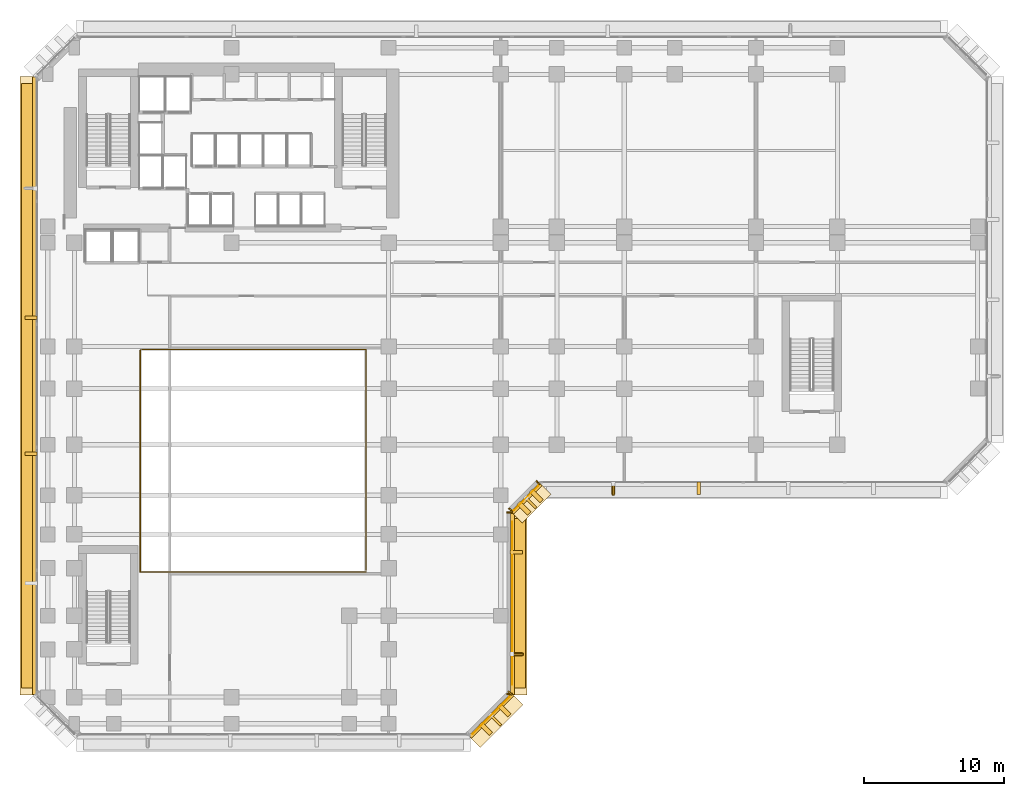
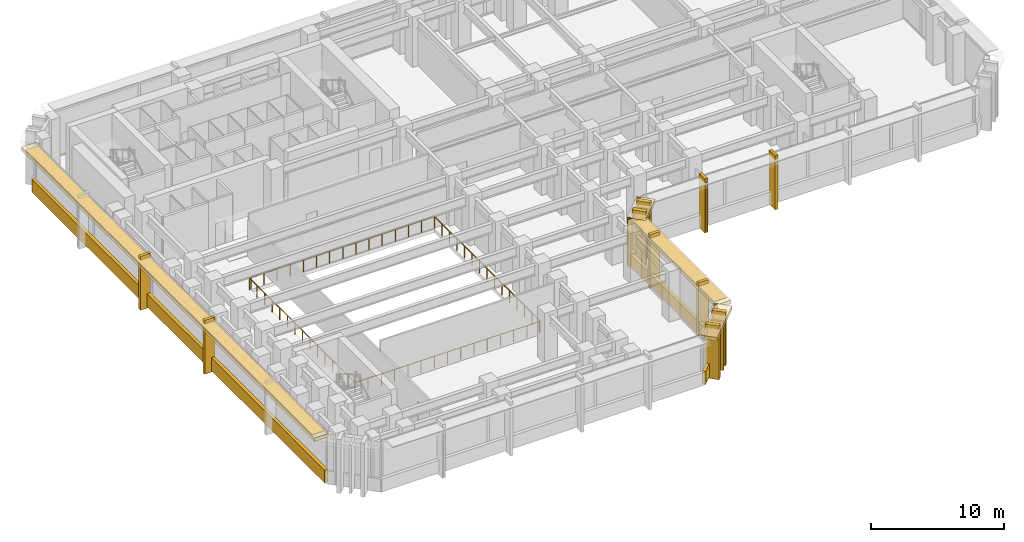
# One storey, part 11 of 16: 26 coverings, 6 shading devices, 2 railings.
"""IFC4 building model written with IfcOpenShell, lengths in metres."""

from ifc_helpers import new_model, si_unit, direction, frame, origin, origin_2d, place, context, subcontext, project, spatial, rectangle, circle, extrude, material, layer, layer_set, material_profile, profile_set, type_object, element, save


model = new_model("IFC4")

# Units and contexts
model_context = context("Model", 3, precision=1e-05, world=origin(), true_north=direction((0.0, 1.0)))
body_context = subcontext(model_context, "Body", "Model", "MODEL_VIEW")
ifc_project = project(units=[si_unit("LENGTHUNIT", "METRE"), si_unit("AREAUNIT", "SQUARE_METRE"), si_unit("VOLUMEUNIT", "CUBIC_METRE"), si_unit("PLANEANGLEUNIT", "RADIAN"), si_unit("MASSUNIT", "GRAM", prefix="KILO")], contexts=[model_context])

# Site, building, storey
site_placement = place(None, origin())
site = spatial("IfcSite", under=ifc_project, at=site_placement, CompositionType="ELEMENT")
building_placement = place(site_placement, origin())
building = spatial("IfcBuilding", under=site, at=building_placement, Name="Kefirva Bronze Tower", CompositionType="ELEMENT")
storey_placement = place(building_placement, frame((0.0, 0.0, 16.5)))
storey = spatial("IfcBuildingStorey", under=building, at=storey_placement, Name="L03", CompositionType="ELEMENT", Elevation=16.5)

# Coverings
ifc_material_1 = material(Name="Bronze anodised aluminium", Category="aluminium")
ifc_layer_1 = layer(ifc_material_1, 0.02001953125, Name="Bronze anodised aluminium")
ifc_layer_set_1 = layer_set([ifc_layer_1], Name="Bronze anodised aluminium")
covering_type_1 = type_object("IfcCoveringType", Name="Anodised Bronze Spandrel Cladding 20mm", PredefinedType="CLADDING", material=ifc_layer_set_1)
covering_1_placement = place(storey_placement, frame((30.507080078125, -0.507080078125, 3.880126953125), z_axis=(0.0, 0.0, 1.0), x_axis=(0.707106781187, 0.707106781187, 0.0)))
element("IfcCovering", 1, at=covering_1_placement, inside=storey, type_object=covering_type_1, Name="L03 Bronze Spandrel Cladding 1", PredefinedType="CLADDING", context=body_context, shape_type="SweptSolid", body=[
    extrude(rectangle(XDim=3.719482421875, YDim=0.02001953125, at=origin_2d()), origin(), (0.0, 0.0, 1.0), 0.39990234375),
])
covering_2_placement = place(storey_placement, frame((31.847900390625, 1.1025390625, 0.0), z_axis=(0.0, 0.0, 1.0), x_axis=(0.707106781187, 0.707106781187, 0.0)))
element("IfcCovering", 2, at=covering_2_placement, inside=storey, type_object=covering_type_1, Name="L03 Facade Joint Closure Panel 1E", PredefinedType="CLADDING", context=body_context, shape_type="SweptSolid", body=[
    extrude(rectangle(XDim=0.10009765625, YDim=0.360107421875, at=origin_2d()), origin(), (0.0, 0.0, 1.0), 4.300048828125),
])
covering_3_placement = place(storey_placement, frame((30.5283203125, -0.5283203125, -0.16015625), z_axis=(0.0, 0.0, 1.0), x_axis=(0.707106781187, 0.707106781187, 0.0)))
element("IfcCovering", 3, at=covering_3_placement, inside=storey, type_object=covering_type_1, Name="L03 Streamline Horizontal Spandrel Band 1", PredefinedType="CLADDING", context=body_context, shape_type="SweptSolid", body=[
    extrude(rectangle(XDim=4.28271484375, YDim=0.280029296875, at=origin_2d()), origin(), (0.0, 0.0, 1.0), 1.179931640625),
])
covering_4_placement = place(storey_placement, frame((32.010009765625, 7.5, 3.880126953125), z_axis=(0.0, 0.0, 1.0), x_axis=(0.0, 1.0, 0.0)))
element("IfcCovering", 4, at=covering_4_placement, inside=storey, type_object=covering_type_1, Name="L03 Bronze Spandrel Cladding 2", PredefinedType="CLADDING", context=body_context, shape_type="SweptSolid", body=[
    extrude(rectangle(XDim=11.60107421875, YDim=0.02001953125, at=origin_2d()), origin(), (0.0, 0.0, 1.0), 0.39990234375),
])
for number, where, z_axis, x_axis, name in (
    (5, (31.820068359375, 1.034912109375, 0.0), (0.0, 0.0, 1.0), (0.0, 1.0, 0.0), "L03 Facade Joint Closure Panel 2S"),
    (6, (31.820068359375, 13.965087890625, 0.0), (0.0, 0.0, 1.0), (0.0, 1.0, 0.0), "L03 Facade Joint Closure Panel 2E"),
):
    element("IfcCovering", number, at=place(storey_placement, frame(where, z_axis=z_axis, x_axis=x_axis)), inside=storey, type_object=covering_type_1, Name=name, PredefinedType="CLADDING", context=body_context, shape_type="SweptSolid", body=[
        extrude(rectangle(XDim=0.10009765625, YDim=0.360107421875, at=origin_2d()), origin(), (0.0, 0.0, 1.0), 4.300048828125),
    ])
covering_5_placement = place(storey_placement, frame((32.0400390625, 7.5, -0.16015625), z_axis=(0.0, 0.0, 1.0), x_axis=(0.0, 1.0, 0.0)))
element("IfcCovering", 7, at=covering_5_placement, inside=storey, type_object=covering_type_1, Name="L03 Streamline Horizontal Spandrel Band 2", PredefinedType="CLADDING", context=body_context, shape_type="SweptSolid", body=[
    extrude(rectangle(XDim=13.0400390625, YDim=0.280029296875, at=origin_2d()), origin(), (0.0, 0.0, 1.0), 1.179931640625),
])
covering_6_placement = place(storey_placement, frame((33.007080078125, 14.992919921875, 3.880126953125), z_axis=(0.0, 0.0, 1.0), x_axis=(0.707106781187, 0.707106781187, 0.0)))
element("IfcCovering", 8, at=covering_6_placement, inside=storey, type_object=covering_type_1, Name="L03 Bronze Spandrel Cladding 3", PredefinedType="CLADDING", context=body_context, shape_type="SweptSolid", body=[
    extrude(rectangle(XDim=2.446533203125, YDim=0.02001953125, at=origin_2d()), origin(), (0.0, 0.0, 1.0), 0.39990234375),
])
for number, where, z_axis, x_axis, name in (
    (9, (31.8974609375, 14.152099609375, 0.0), (0.0, 0.0, 1.0), (0.707106781187, 0.707106781187, 0.0), "L03 Facade Joint Closure Panel 3S"),
    (10, (33.847900390625, 16.1025390625, 0.0), (0.0, 0.0, 1.0), (0.707106781187, 0.707106781187, 0.0), "L03 Facade Joint Closure Panel 3E"),
):
    element("IfcCovering", number, at=place(storey_placement, frame(where, z_axis=z_axis, x_axis=x_axis)), inside=storey, type_object=covering_type_1, Name=name, PredefinedType="CLADDING", context=body_context, shape_type="SweptSolid", body=[
        extrude(rectangle(XDim=0.10009765625, YDim=0.360107421875, at=origin_2d()), origin(), (0.0, 0.0, 1.0), 4.300048828125),
    ])
covering_7_placement = place(storey_placement, frame((33.0283203125, 14.9716796875, -0.16015625), z_axis=(0.0, 0.0, 1.0), x_axis=(0.707106781187, 0.707106781187, 0.0)))
element("IfcCovering", 11, at=covering_7_placement, inside=storey, type_object=covering_type_1, Name="L03 Streamline Horizontal Spandrel Band 3", PredefinedType="CLADDING", context=body_context, shape_type="SweptSolid", body=[
    extrude(rectangle(XDim=2.868408203125, YDim=0.280029296875, at=origin_2d()), origin(), (0.0, 0.0, 1.0), 1.179931640625),
])
covering_8_placement = place(storey_placement, frame((-2.0400390625, 23.0, -0.16015625), z_axis=(0.0, 0.0, 1.0), x_axis=(0.0, -1.0, 0.0)))
element("IfcCovering", 12, at=covering_8_placement, inside=storey, type_object=covering_type_1, Name="L03 Streamline Horizontal Spandrel Band 10", PredefinedType="CLADDING", context=body_context, shape_type="SweptSolid", body=[
    extrude(rectangle(XDim=44.0400390625, YDim=0.280029296875, at=origin_2d()), origin(), (0.0, 0.0, 1.0), 1.179931640625),
])

# Shading devices
ifc_material_profile_1 = material_profile(ifc_material_1, rectangle(XDim=0.179931640625, YDim=1.080078125, at=origin_2d()), Name="BRONZE BUTTRESS FIN 180x1080")
ifc_profile_set_1 = profile_set([ifc_material_profile_1], Name="Bronze anodised aluminium")
shading_device_type_1 = type_object("IfcShadingDeviceType", Name="Chamfered Corner Buttress Bronze Fin 1080mm", PredefinedType="USERDEFINED", material=ifc_profile_set_1)
for number, where, z_axis, x_axis, name in (
    (13, (30.8251953125, -0.8251953125, -0.139892578125), (0.0, 0.0, 1.0), (0.707106781187, 0.707106781187, 0.0), "L03 Chamfered Corner Buttress Fin 6"),
    (14, (33.3251953125, 14.6748046875, -0.139892578125), (0.0, 0.0, 1.0), (0.707106781187, 0.707106781187, 0.0), "L03 Chamfered Corner Buttress Fin 10"),
):
    element("IfcShadingDevice", number, at=place(storey_placement, frame(where, z_axis=z_axis, x_axis=x_axis)), inside=storey, type_object=shading_device_type_1, Name=name, ObjectType="VERTICAL FIN", PredefinedType="USERDEFINED", context=body_context, shape_type="SweptSolid", body=[
        extrude(rectangle(XDim=0.179931640625, YDim=1.080078125, at=origin_2d()), origin(), (0.0, 0.0, 1.0), 4.43994140625),
    ])

# Railings
ifc_material_2 = material(Name="Stainless steel 316", Category="steel")
railing_type = type_object("IfcRailingType", Name="Interior Stair Guardrail 1100mm", PredefinedType="GUARDRAIL", material=ifc_material_2)
railing_1_placement = place(storey_placement, frame((5.5, 25.550048828125, 0.0)))
element("IfcRailing", 15, at=railing_1_placement, inside=storey, type_object=railing_type, Name="L03 Auditorium Gallery Void Guardrail South-West", PredefinedType="GUARDRAIL", context=body_context, shape_type="SweptSolid", body=[
    extrude(circle(Radius=0.02392578125, at=origin_2d()), frame((0.0, 0.0, 1.076171875), z_axis=(0.0, -1.0, 0.0), x_axis=(1.0, 0.0, 0.0)), (0.0, 0.0, 1.0), 15.830078125),
    extrude(circle(Radius=0.02392578125, at=origin_2d()), frame((0.0, -15.830078125, 1.076171875), z_axis=(1.0, 0.0, 0.0), x_axis=(0.0, 1.0, 0.0)), (0.0, 0.0, 1.0), 16.080078125),
    extrude(circle(Radius=0.02099609375, at=origin_2d()), origin(), (0.0, 0.0, 1.0), 1.052001953125),
    extrude(circle(Radius=0.02099609375, at=origin_2d()), frame((0.0, -1.130615234375, 0.0)), (0.0, 0.0, 1.0), 1.052001953125),
    extrude(circle(Radius=0.02099609375, at=origin_2d()), frame((0.0, -2.261474609375, 0.0)), (0.0, 0.0, 1.0), 1.052001953125),
    extrude(circle(Radius=0.02099609375, at=origin_2d()), frame((0.0, -3.39208984375, 0.0)), (0.0, 0.0, 1.0), 1.052001953125),
    extrude(circle(Radius=0.02099609375, at=origin_2d()), frame((0.0, -4.52294921875, 0.0)), (0.0, 0.0, 1.0), 1.052001953125),
    extrude(circle(Radius=0.02099609375, at=origin_2d()), frame((0.0, -5.653564453125, 0.0)), (0.0, 0.0, 1.0), 1.052001953125),
    extrude(circle(Radius=0.02099609375, at=origin_2d()), frame((0.0, -6.784423828125, 0.0)), (0.0, 0.0, 1.0), 1.052001953125),
    extrude(circle(Radius=0.02099609375, at=origin_2d()), frame((0.0, -7.9150390625, 0.0)), (0.0, 0.0, 1.0), 1.052001953125),
    extrude(circle(Radius=0.02099609375, at=origin_2d()), frame((0.0, -9.045654296875, 0.0)), (0.0, 0.0, 1.0), 1.052001953125),
    extrude(circle(Radius=0.02099609375, at=origin_2d()), frame((0.0, -10.176513671875, 0.0)), (0.0, 0.0, 1.0), 1.052001953125),
    extrude(circle(Radius=0.02099609375, at=origin_2d()), frame((0.0, -11.30712890625, 0.0)), (0.0, 0.0, 1.0), 1.052001953125),
    extrude(circle(Radius=0.02099609375, at=origin_2d()), frame((0.0, -12.43798828125, 0.0)), (0.0, 0.0, 1.0), 1.052001953125),
    extrude(circle(Radius=0.02099609375, at=origin_2d()), frame((0.0, -13.568603515625, 0.0)), (0.0, 0.0, 1.0), 1.052001953125),
    extrude(circle(Radius=0.02099609375, at=origin_2d()), frame((0.0, -14.699462890625, 0.0)), (0.0, 0.0, 1.0), 1.052001953125),
    extrude(circle(Radius=0.02099609375, at=origin_2d()), frame((0.0, -15.830078125, 0.0)), (0.0, 0.0, 1.0), 1.052001953125),
    extrude(circle(Radius=0.02099609375, at=origin_2d()), frame((1.148681640625, -15.830078125, 0.0)), (0.0, 0.0, 1.0), 1.052001953125),
    extrude(circle(Radius=0.02099609375, at=origin_2d()), frame((2.297119140625, -15.830078125, 0.0)), (0.0, 0.0, 1.0), 1.052001953125),
    extrude(circle(Radius=0.02099609375, at=origin_2d()), frame((3.44580078125, -15.830078125, 0.0)), (0.0, 0.0, 1.0), 1.052001953125),
    extrude(circle(Radius=0.02099609375, at=origin_2d()), frame((4.59423828125, -15.830078125, 0.0)), (0.0, 0.0, 1.0), 1.052001953125),
    extrude(circle(Radius=0.02099609375, at=origin_2d()), frame((5.742919921875, -15.830078125, 0.0)), (0.0, 0.0, 1.0), 1.052001953125),
    extrude(circle(Radius=0.02099609375, at=origin_2d()), frame((6.891357421875, -15.830078125, 0.0)), (0.0, 0.0, 1.0), 1.052001953125),
    extrude(circle(Radius=0.02099609375, at=origin_2d()), frame((8.0400390625, -15.830078125, 0.0)), (0.0, 0.0, 1.0), 1.052001953125),
    extrude(circle(Radius=0.02099609375, at=origin_2d()), frame((9.188720703125, -15.830078125, 0.0)), (0.0, 0.0, 1.0), 1.052001953125),
    extrude(circle(Radius=0.02099609375, at=origin_2d()), frame((10.337158203125, -15.830078125, 0.0)), (0.0, 0.0, 1.0), 1.052001953125),
    extrude(circle(Radius=0.02099609375, at=origin_2d()), frame((11.48583984375, -15.830078125, 0.0)), (0.0, 0.0, 1.0), 1.052001953125),
    extrude(circle(Radius=0.02099609375, at=origin_2d()), frame((12.63427734375, -15.830078125, 0.0)), (0.0, 0.0, 1.0), 1.052001953125),
    extrude(circle(Radius=0.02099609375, at=origin_2d()), frame((13.782958984375, -15.830078125, 0.0)), (0.0, 0.0, 1.0), 1.052001953125),
    extrude(circle(Radius=0.02099609375, at=origin_2d()), frame((14.931396484375, -15.830078125, 0.0)), (0.0, 0.0, 1.0), 1.052001953125),
    extrude(circle(Radius=0.02099609375, at=origin_2d()), frame((16.080078125, -15.830078125, 0.0)), (0.0, 0.0, 1.0), 1.052001953125),
])
railing_2_placement = place(storey_placement, frame((21.580078125, 9.85009765625, 0.0)))
element("IfcRailing", 16, at=railing_2_placement, inside=storey, type_object=railing_type, Name="L03 Auditorium Gallery Void Guardrail North-East", PredefinedType="GUARDRAIL", context=body_context, shape_type="SweptSolid", body=[
    extrude(circle(Radius=0.02392578125, at=origin_2d()), frame((0.0, 0.0, 1.076171875), z_axis=(0.0, 1.0, 0.0), x_axis=(-1.0, 0.0, 0.0)), (0.0, 0.0, 1.0), 15.72998046875),
    extrude(circle(Radius=0.02392578125, at=origin_2d()), frame((0.0, 15.72998046875, 1.076171875), z_axis=(-1.0, 0.0, 0.0), x_axis=(0.0, -1.0, 0.0)), (0.0, 0.0, 1.0), 15.9599609375),
    extrude(circle(Radius=0.02099609375, at=origin_2d()), origin(), (0.0, 0.0, 1.0), 1.052001953125),
    extrude(circle(Radius=0.02099609375, at=origin_2d()), frame((0.0, 1.12353515625, 0.0)), (0.0, 0.0, 1.0), 1.052001953125),
    extrude(circle(Radius=0.02099609375, at=origin_2d()), frame((0.0, 2.2470703125, 0.0)), (0.0, 0.0, 1.0), 1.052001953125),
    extrude(circle(Radius=0.02099609375, at=origin_2d()), frame((0.0, 3.37060546875, 0.0)), (0.0, 0.0, 1.0), 1.052001953125),
    extrude(circle(Radius=0.02099609375, at=origin_2d()), frame((0.0, 4.494384765625, 0.0)), (0.0, 0.0, 1.0), 1.052001953125),
    extrude(circle(Radius=0.02099609375, at=origin_2d()), frame((0.0, 5.617919921875, 0.0)), (0.0, 0.0, 1.0), 1.052001953125),
    extrude(circle(Radius=0.02099609375, at=origin_2d()), frame((0.0, 6.741455078125, 0.0)), (0.0, 0.0, 1.0), 1.052001953125),
    extrude(circle(Radius=0.02099609375, at=origin_2d()), frame((0.0, 7.864990234375, 0.0)), (0.0, 0.0, 1.0), 1.052001953125),
    extrude(circle(Radius=0.02099609375, at=origin_2d()), frame((0.0, 8.988525390625, 0.0)), (0.0, 0.0, 1.0), 1.052001953125),
    extrude(circle(Radius=0.02099609375, at=origin_2d()), frame((0.0, 10.112060546875, 0.0)), (0.0, 0.0, 1.0), 1.052001953125),
    extrude(circle(Radius=0.02099609375, at=origin_2d()), frame((0.0, 11.235595703125, 0.0)), (0.0, 0.0, 1.0), 1.052001953125),
    extrude(circle(Radius=0.02099609375, at=origin_2d()), frame((0.0, 12.359375, 0.0)), (0.0, 0.0, 1.0), 1.052001953125),
    extrude(circle(Radius=0.02099609375, at=origin_2d()), frame((0.0, 13.48291015625, 0.0)), (0.0, 0.0, 1.0), 1.052001953125),
    extrude(circle(Radius=0.02099609375, at=origin_2d()), frame((0.0, 14.6064453125, 0.0)), (0.0, 0.0, 1.0), 1.052001953125),
    extrude(circle(Radius=0.02099609375, at=origin_2d()), frame((0.0, 15.72998046875, 0.0)), (0.0, 0.0, 1.0), 1.052001953125),
    extrude(circle(Radius=0.02099609375, at=origin_2d()), frame((-1.139892578125, 15.72998046875, 0.0)), (0.0, 0.0, 1.0), 1.052001953125),
    extrude(circle(Radius=0.02099609375, at=origin_2d()), frame((-2.280029296875, 15.72998046875, 0.0)), (0.0, 0.0, 1.0), 1.052001953125),
    extrude(circle(Radius=0.02099609375, at=origin_2d()), frame((-3.419921875, 15.72998046875, 0.0)), (0.0, 0.0, 1.0), 1.052001953125),
    extrude(circle(Radius=0.02099609375, at=origin_2d()), frame((-4.56005859375, 15.72998046875, 0.0)), (0.0, 0.0, 1.0), 1.052001953125),
    extrude(circle(Radius=0.02099609375, at=origin_2d()), frame((-5.699951171875, 15.72998046875, 0.0)), (0.0, 0.0, 1.0), 1.052001953125),
    extrude(circle(Radius=0.02099609375, at=origin_2d()), frame((-6.840087890625, 15.72998046875, 0.0)), (0.0, 0.0, 1.0), 1.052001953125),
    extrude(circle(Radius=0.02099609375, at=origin_2d()), frame((-7.97998046875, 15.72998046875, 0.0)), (0.0, 0.0, 1.0), 1.052001953125),
    extrude(circle(Radius=0.02099609375, at=origin_2d()), frame((-9.119873046875, 15.72998046875, 0.0)), (0.0, 0.0, 1.0), 1.052001953125),
    extrude(circle(Radius=0.02099609375, at=origin_2d()), frame((-10.260009765625, 15.72998046875, 0.0)), (0.0, 0.0, 1.0), 1.052001953125),
    extrude(circle(Radius=0.02099609375, at=origin_2d()), frame((-11.39990234375, 15.72998046875, 0.0)), (0.0, 0.0, 1.0), 1.052001953125),
    extrude(circle(Radius=0.02099609375, at=origin_2d()), frame((-12.5400390625, 15.72998046875, 0.0)), (0.0, 0.0, 1.0), 1.052001953125),
    extrude(circle(Radius=0.02099609375, at=origin_2d()), frame((-13.679931640625, 15.72998046875, 0.0)), (0.0, 0.0, 1.0), 1.052001953125),
    extrude(circle(Radius=0.02099609375, at=origin_2d()), frame((-14.820068359375, 15.72998046875, 0.0)), (0.0, 0.0, 1.0), 1.052001953125),
    extrude(circle(Radius=0.02099609375, at=origin_2d()), frame((-15.9599609375, 15.72998046875, 0.0)), (0.0, 0.0, 1.0), 1.052001953125),
])

# Shading devices
ifc_layer_2 = layer(ifc_material_1, 0.1201171875, Name="Bronze anodised aluminium")
ifc_layer_set_2 = layer_set([ifc_layer_2], Name="Bronze anodised aluminium")
shading_device_type_2 = type_object("IfcShadingDeviceType", Name="Podium Deep Bronze Canopy Sunshade 1050mm", PredefinedType="JALOUSIE", material=ifc_layer_set_2)
shading_device_1_placement = place(storey_placement, frame((32.445068359375, 7.5, 4.19482421875), z_axis=(0.0, 0.0, 1.0), x_axis=(0.0, 1.0, 0.0)))
element("IfcShadingDevice", 17, at=shading_device_1_placement, inside=storey, type_object=shading_device_type_2, Name="L03 Horizontal Bronze Sunshade Band 2", PredefinedType="JALOUSIE", context=body_context, shape_type="SweptSolid", body=[
    extrude(rectangle(XDim=12.090087890625, YDim=1.050048828125, at=origin_2d()), origin(), (0.0, 0.0, 1.0), 0.090087890625),
])
shading_device_2_placement = place(storey_placement, frame((-2.445068359375, 23.0, 4.19482421875), z_axis=(0.0, 0.0, 1.0), x_axis=(0.0, -1.0, 0.0)))
element("IfcShadingDevice", 18, at=shading_device_2_placement, inside=storey, type_object=shading_device_type_2, Name="L03 Horizontal Bronze Sunshade Band 10", PredefinedType="JALOUSIE", context=body_context, shape_type="SweptSolid", body=[
    extrude(rectangle(XDim=43.090087890625, YDim=1.050048828125, at=origin_2d()), origin(), (0.0, 0.0, 1.0), 0.090087890625),
])

# Coverings
ifc_layer_3 = layer(ifc_material_1, 0.179931640625, Name="Bronze anodised aluminium")
ifc_layer_set_3 = layer_set([ifc_layer_3], Name="Bronze anodised aluminium")
covering_type_2 = type_object("IfcCoveringType", Name="Streamline Bronze Sunshade Eyebrow Cladding 180mm", PredefinedType="CLADDING", material=ifc_layer_set_3)
covering_9_placement = place(storey_placement, frame((30.8251953125, -0.8251953125, 3.97998046875), z_axis=(0.0, 0.0, 1.0), x_axis=(0.707106781187, 0.707106781187, 0.0)))
element("IfcCovering", 19, at=covering_9_placement, inside=storey, type_object=covering_type_2, Name="L03 Streamline Bronze Sunshade Eyebrow 1", PredefinedType="CLADDING", context=body_context, shape_type="SweptSolid", body=[
    extrude(rectangle(XDim=4.322509765625, YDim=1.239990234375, at=origin_2d()), origin(), (0.0, 0.0, 1.0), 0.320068359375),
])
covering_10_placement = place(storey_placement, frame((32.4599609375, 7.5, 3.97998046875), z_axis=(0.0, 0.0, 1.0), x_axis=(0.0, 1.0, 0.0)))
element("IfcCovering", 20, at=covering_10_placement, inside=storey, type_object=covering_type_2, Name="L03 Streamline Bronze Sunshade Eyebrow 2", PredefinedType="CLADDING", context=body_context, shape_type="SweptSolid", body=[
    extrude(rectangle(XDim=13.080078125, YDim=1.239990234375, at=origin_2d()), origin(), (0.0, 0.0, 1.0), 0.320068359375),
])
covering_11_placement = place(storey_placement, frame((33.3251953125, 14.6748046875, 3.97998046875), z_axis=(0.0, 0.0, 1.0), x_axis=(0.707106781187, 0.707106781187, 0.0)))
element("IfcCovering", 21, at=covering_11_placement, inside=storey, type_object=covering_type_2, Name="L03 Streamline Bronze Sunshade Eyebrow 3", PredefinedType="CLADDING", context=body_context, shape_type="SweptSolid", body=[
    extrude(rectangle(XDim=2.908447265625, YDim=1.239990234375, at=origin_2d()), origin(), (0.0, 0.0, 1.0), 0.320068359375),
])
covering_12_placement = place(storey_placement, frame((-2.4599609375, 23.0, 3.97998046875), z_axis=(0.0, 0.0, 1.0), x_axis=(0.0, -1.0, 0.0)))
element("IfcCovering", 22, at=covering_12_placement, inside=storey, type_object=covering_type_2, Name="L03 Streamline Bronze Sunshade Eyebrow 10", PredefinedType="CLADDING", context=body_context, shape_type="SweptSolid", body=[
    extrude(rectangle(XDim=44.080078125, YDim=1.239990234375, at=origin_2d()), origin(), (0.0, 0.0, 1.0), 0.320068359375),
])
ifc_layer_4 = layer(ifc_material_1, 0.260009765625, Name="Bronze anodised aluminium")
ifc_layer_set_4 = layer_set([ifc_layer_4], Name="Bronze anodised aluminium")
covering_type_3 = type_object("IfcCoveringType", Name="Unbroken Bronze Buttress Fin Cladding 260mm", PredefinedType="CLADDING", material=ifc_layer_set_4)
for number, where, z_axis, x_axis, name in (
    (23, (30.122802734375, -1.44287109375, -0.320068359375), (0.0, 0.0, 1.0), (0.707106781187, 0.707106781187, 0.0), "L03 Chamfered Corner Buttress Fin Cladding 5"),
    (24, (31.44287109375, -0.122802734375, -0.320068359375), (0.0, 0.0, 1.0), (0.707106781187, 0.707106781187, 0.0), "L03 Chamfered Corner Buttress Fin Cladding 6"),
):
    element("IfcCovering", number, at=place(storey_placement, frame(where, z_axis=z_axis, x_axis=x_axis)), inside=storey, type_object=covering_type_3, Name=name, PredefinedType="CLADDING", context=body_context, shape_type="SweptSolid", body=[
        extrude(rectangle(XDim=0.340087890625, YDim=1.080078125, at=origin_2d()), origin(), (0.0, 0.0, 1.0), 4.93994140625),
    ])
for number, where, z_axis, x_axis, name in (
    (25, (32.300048828125, 3.860107421875, -0.320068359375), (0.0, 0.0, 1.0), (0.0, 1.0, 0.0), "L03 Unbroken Vertical Bronze Rib Fin 7"),
    (26, (32.300048828125, 11.139892578125, -0.320068359375), (0.0, 0.0, 1.0), (0.0, 1.0, 0.0), "L03 Unbroken Vertical Bronze Rib Fin 8"),
):
    element("IfcCovering", number, at=place(storey_placement, frame(where, z_axis=z_axis, x_axis=x_axis)), inside=storey, type_object=covering_type_3, Name=name, PredefinedType="CLADDING", context=body_context, shape_type="SweptSolid", body=[
        extrude(rectangle(XDim=0.260009765625, YDim=0.8798828125, at=origin_2d()), origin(), (0.0, 0.0, 1.0), 4.93994140625),
    ])
for number, where, z_axis, x_axis, name in (
    (27, (32.8427734375, 14.277099609375, -0.320068359375), (0.0, 0.0, 1.0), (0.707106781187, 0.707106781187, 0.0), "L03 Chamfered Corner Buttress Fin Cladding 9"),
    (28, (33.722900390625, 15.1572265625, -0.320068359375), (0.0, 0.0, 1.0), (0.707106781187, 0.707106781187, 0.0), "L03 Chamfered Corner Buttress Fin Cladding 10"),
):
    element("IfcCovering", number, at=place(storey_placement, frame(where, z_axis=z_axis, x_axis=x_axis)), inside=storey, type_object=covering_type_3, Name=name, PredefinedType="CLADDING", context=body_context, shape_type="SweptSolid", body=[
        extrude(rectangle(XDim=0.340087890625, YDim=1.080078125, at=origin_2d()), origin(), (0.0, 0.0, 1.0), 4.93994140625),
    ])
for number, where, z_axis, x_axis, name in (
    (29, (39.219970703125, 15.699951171875, -0.320068359375), (0.0, 0.0, 1.0), (1.0, 0.0, 0.0), "L03 Unbroken Vertical Bronze Rib Fin 11"),
    (30, (45.31005859375, 15.699951171875, -0.320068359375), (0.0, 0.0, 1.0), (1.0, 0.0, 0.0), "L03 Unbroken Vertical Bronze Rib Fin 12"),
    (31, (-2.300048828125, 27.840087890625, -0.320068359375), (0.0, 0.0, 1.0), (0.0, -1.0, 0.0), "L03 Unbroken Vertical Bronze Rib Fin 30"),
    (32, (-2.300048828125, 18.159912109375, -0.320068359375), (0.0, 0.0, 1.0), (0.0, -1.0, 0.0), "L03 Unbroken Vertical Bronze Rib Fin 31"),
):
    element("IfcCovering", number, at=place(storey_placement, frame(where, z_axis=z_axis, x_axis=x_axis)), inside=storey, type_object=covering_type_3, Name=name, PredefinedType="CLADDING", context=body_context, shape_type="SweptSolid", body=[
        extrude(rectangle(XDim=0.260009765625, YDim=0.8798828125, at=origin_2d()), origin(), (0.0, 0.0, 1.0), 4.93994140625),
    ])

# Shading devices
ifc_material_profile_2 = material_profile(ifc_material_1, rectangle(XDim=0.139892578125, YDim=0.8798828125, at=origin_2d()), Name="BRONZE FIN 140x880")
ifc_profile_set_2 = profile_set([ifc_material_profile_2], Name="Bronze anodised aluminium")
shading_device_type_3 = type_object("IfcShadingDeviceType", Name="Unbroken Vertical Bronze Facade Fin 880mm", PredefinedType="USERDEFINED", material=ifc_profile_set_2)
for number, where, z_axis, x_axis, name in (
    (33, (32.360107421875, 3.860107421875, -0.139892578125), (0.0, 0.0, 1.0), (0.0, 1.0, 0.0), "L03 Vertical Bronze Rib Fin 7"),
    (34, (39.219970703125, 15.639892578125, -0.139892578125), (0.0, 0.0, 1.0), (1.0, 0.0, 0.0), "L03 Vertical Bronze Rib Fin 11"),
):
    element("IfcShadingDevice", number, at=place(storey_placement, frame(where, z_axis=z_axis, x_axis=x_axis)), inside=storey, type_object=shading_device_type_3, Name=name, ObjectType="VERTICAL FIN", PredefinedType="USERDEFINED", context=body_context, shape_type="SweptSolid", body=[
        extrude(rectangle(XDim=0.139892578125, YDim=0.8798828125, at=origin_2d()), origin(), (0.0, 0.0, 1.0), 4.43994140625),
    ])

save(model, "model.ifc")
